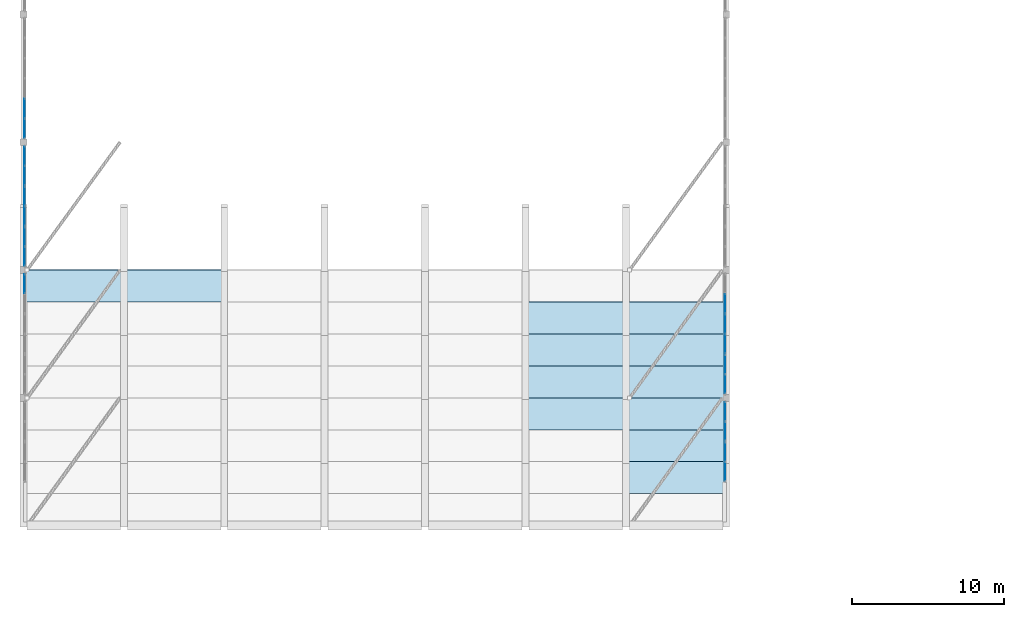
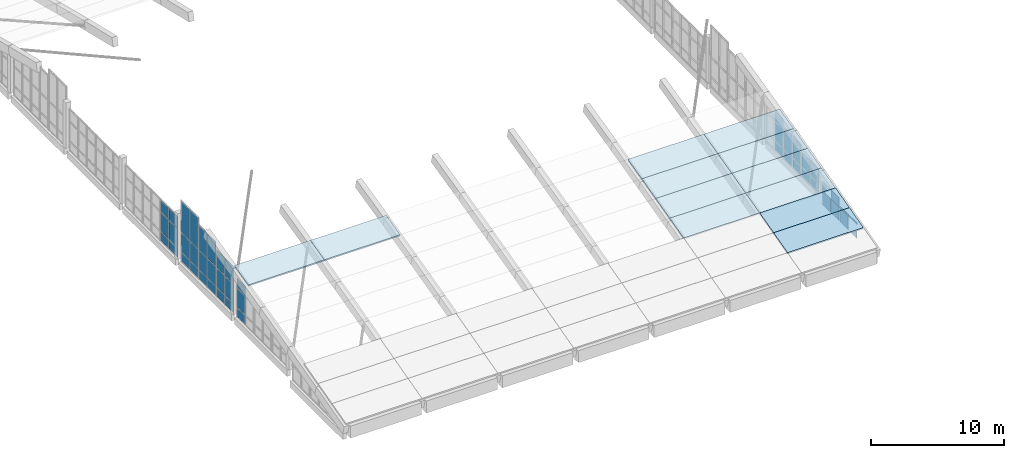
# One storey, part 41 of 78: 48 plates, 12 slabs, 10 elements without a shape of their own.
"""IFC4 building model written with IfcOpenShell, lengths in metres."""

from ifc_helpers import new_model, si_unit, direction, frame, origin, origin_2d, place, context, subcontext, project, spatial, polyline, rectangle, outline, extrude, material, layer, layer_set, type_object, element, aggregate, save


model = new_model("IFC4")

# Units and contexts
model_context = context("Model", 3, precision=1e-05, world=origin(), true_north=direction((0.0, 1.0)))
body_context = subcontext(model_context, "Body", "Model", "MODEL_VIEW")
ifc_project = project(units=[si_unit("LENGTHUNIT", "METRE"), si_unit("AREAUNIT", "SQUARE_METRE"), si_unit("VOLUMEUNIT", "CUBIC_METRE"), si_unit("PLANEANGLEUNIT", "RADIAN"), si_unit("MASSUNIT", "GRAM", prefix="KILO")], contexts=[model_context])

# Site, building, storey
site_placement = place(None, origin())
site = spatial("IfcSite", under=ifc_project, at=site_placement, CompositionType="ELEMENT")
building_placement = place(site_placement, origin())
building = spatial("IfcBuilding", under=site, at=building_placement, Name="Qaldarim Faculty of Natural and Applied Sciences", CompositionType="ELEMENT")
storey_placement = place(building_placement, frame((0.0, 0.0, 18.60009765625)))
storey = spatial("IfcBuildingStorey", under=building, at=storey_placement, Name="L04", CompositionType="ELEMENT", Elevation=18.60009765625)

# Curtain wall, plates
ifc_material_1 = material(Name="Anodised aluminium AW-6063", Category="aluminium")
curtain_wall_type_1 = type_object("IfcCurtainWallType", Name="CurtainWallSystem-M1500", PredefinedType="USERDEFINED", material=ifc_material_1)
curtain_wall_1_placement = place(storey_placement, origin())
curtain_wall_1 = element("IfcCurtainWall", 1, at=curtain_wall_1_placement, inside=storey, type_object=curtain_wall_type_1, Name="Curtain wall CW-GABLE-L04-E-Y03-2", ObjectType="STICK CURTAIN WALL", PredefinedType="USERDEFINED")
ifc_material_2 = material(Name="Champagne anodised aluminium AW-6063", Category="aluminium")
ifc_layer_1 = layer(ifc_material_2, 0.0400390625)
ifc_layer_set_1 = layer_set([ifc_layer_1], Name="Champagne anodised aluminium AW-6063")
plate_type_1 = type_object("IfcPlateType", Name="InsulatedSpandrelPanel-40", PredefinedType="CURTAIN_PANEL", material=ifc_layer_set_1)
plate_1_placement = place(storey_placement, frame((46.1201171875, 20.35888671875, -0.919921875), z_axis=(0.0, 0.0, 1.0), x_axis=(0.0, 1.0, 0.0)))
plate_1 = element("IfcPlate", 2, at=plate_1_placement, type_object=plate_type_1, Name="Glazed panel 1-1 of CW-GABLE-L04-E-Y03-2", PredefinedType="CURTAIN_PANEL", context=body_context, shape_type="SweptSolid", body=[
    extrude(rectangle(XDim=1.2275390625, YDim=0.0400390625, at=origin_2d()), origin(), (0.0, 0.0, 1.0), 1.260009765625),
])
plate_2_placement = place(storey_placement, frame((46.1201171875, 20.35888671875, 0.39990234375), z_axis=(0.0, 0.0, 1.0), x_axis=(0.0, 1.0, 0.0)))
plate_2 = element("IfcPlate", 3, at=plate_2_placement, type_object=plate_type_1, Name="Glazed panel 1-2 of CW-GABLE-L04-E-Y03-2", PredefinedType="CURTAIN_PANEL", context=body_context, shape_type="SweptSolid", body=[
    extrude(rectangle(XDim=1.2275390625, YDim=0.0400390625, at=origin_2d()), origin(), (0.0, 0.0, 1.0), 0.114990234375),
])
plate_3_placement = place(storey_placement, frame((46.1201171875, 21.646240234375, -0.919921875), z_axis=(0.0, 0.0, 1.0), x_axis=(0.0, 1.0, 0.0)))
plate_3 = element("IfcPlate", 4, at=plate_3_placement, type_object=plate_type_1, Name="Glazed panel 2-1 of CW-GABLE-L04-E-Y03-2", PredefinedType="CURTAIN_PANEL", context=body_context, shape_type="SweptSolid", body=[
    extrude(rectangle(XDim=1.2275390625, YDim=0.0400390625, at=origin_2d()), origin(), (0.0, 0.0, 1.0), 1.260009765625),
])
plate_4_placement = place(storey_placement, frame((46.1201171875, 21.646240234375, 0.39990234375), z_axis=(0.0, 0.0, 1.0), x_axis=(0.0, 1.0, 0.0)))
plate_4 = element("IfcPlate", 5, at=plate_4_placement, type_object=plate_type_1, Name="Glazed panel 2-2 of CW-GABLE-L04-E-Y03-2", PredefinedType="CURTAIN_PANEL", context=body_context, shape_type="SweptSolid", body=[
    extrude(rectangle(XDim=1.2275390625, YDim=0.0400390625, at=origin_2d()), origin(), (0.0, 0.0, 1.0), 0.114990234375),
])
aggregate(curtain_wall_1, [plate_1, plate_2, plate_3, plate_4])

curtain_wall_2_placement = place(storey_placement, origin())
curtain_wall_2 = element("IfcCurtainWall", 6, at=curtain_wall_2_placement, inside=storey, type_object=curtain_wall_type_1, Name="Curtain wall CW-GABLE-L04-E-Y03-3", ObjectType="STICK CURTAIN WALL", PredefinedType="USERDEFINED")
plate_5_placement = place(storey_placement, frame((46.1201171875, 23.0087890625, -0.919921875), z_axis=(0.0, 0.0, 1.0), x_axis=(0.0, 1.0, 0.0)))
plate_5 = element("IfcPlate", 7, at=plate_5_placement, type_object=plate_type_1, Name="Glazed panel 1-1 of CW-GABLE-L04-E-Y03-3", PredefinedType="CURTAIN_PANEL", context=body_context, shape_type="SweptSolid", body=[
    extrude(rectangle(XDim=1.2275390625, YDim=0.0400390625, at=origin_2d()), origin(), (0.0, 0.0, 1.0), 1.260009765625),
])
plate_6_placement = place(storey_placement, frame((46.1201171875, 23.0087890625, 0.39990234375), z_axis=(0.0, 0.0, 1.0), x_axis=(0.0, 1.0, 0.0)))
plate_6 = element("IfcPlate", 8, at=plate_6_placement, type_object=plate_type_1, Name="Glazed panel 1-2 of CW-GABLE-L04-E-Y03-3", PredefinedType="CURTAIN_PANEL", context=body_context, shape_type="SweptSolid", body=[
    extrude(rectangle(XDim=1.2275390625, YDim=0.0400390625, at=origin_2d()), origin(), (0.0, 0.0, 1.0), 0.804931640625),
])
plate_7_placement = place(storey_placement, frame((46.1201171875, 24.29638671875, -0.919921875), z_axis=(0.0, 0.0, 1.0), x_axis=(0.0, 1.0, 0.0)))
plate_7 = element("IfcPlate", 9, at=plate_7_placement, type_object=plate_type_1, Name="Glazed panel 2-1 of CW-GABLE-L04-E-Y03-3", PredefinedType="CURTAIN_PANEL", context=body_context, shape_type="SweptSolid", body=[
    extrude(rectangle(XDim=1.2275390625, YDim=0.0400390625, at=origin_2d()), origin(), (0.0, 0.0, 1.0), 1.260009765625),
])
plate_8_placement = place(storey_placement, frame((46.1201171875, 24.29638671875, 0.39990234375), z_axis=(0.0, 0.0, 1.0), x_axis=(0.0, 1.0, 0.0)))
plate_8 = element("IfcPlate", 10, at=plate_8_placement, type_object=plate_type_1, Name="Glazed panel 2-2 of CW-GABLE-L04-E-Y03-3", PredefinedType="CURTAIN_PANEL", context=body_context, shape_type="SweptSolid", body=[
    extrude(rectangle(XDim=1.2275390625, YDim=0.0400390625, at=origin_2d()), origin(), (0.0, 0.0, 1.0), 0.804931640625),
])
aggregate(curtain_wall_2, [plate_5, plate_6, plate_7, plate_8])

# Slabs
ifc_material_3 = material(Name="Concrete C40/50", Category="concrete")
ifc_layer_2 = layer(ifc_material_3, 0.159912109375)
ifc_layer_set_2 = layer_set([ifc_layer_2], Name="Concrete C40/50")
slab_type = type_object("IfcSlabType", Name="PointedArchShellStrip-160", PredefinedType="ROOF", material=ifc_layer_set_2)
slab_1_placement = place(storey_placement, frame((0.0, 31.5380859375, 3.66943359375), z_axis=(0.0, -0.238123063783, 0.971234990357), x_axis=(1.0, 0.0, 0.0)))
element("IfcSlab", 11, at=slab_1_placement, inside=storey, type_object=slab_type, Name="Pointed-arch shell strip B01-S09", PredefinedType="ROOF", context=body_context, shape_type="SweptSolid", body=[
    extrude(outline(polyline([(0.0, 0.0), (6.60009765625, 0.0), (6.60009765625, 2.162296125139883), (0.0, 2.162296125139883), (0.0, 0.0)])), origin(), (0.0, 0.0, 1.0), 0.159912109375),
])
slab_2_placement = place(storey_placement, frame((6.60009765625, 31.5380859375, 3.66943359375), z_axis=(0.0, -0.238123063783, 0.971234990357), x_axis=(1.0, 0.0, 0.0)))
element("IfcSlab", 12, at=slab_2_placement, inside=storey, type_object=slab_type, Name="Pointed-arch shell strip B02-S09", PredefinedType="ROOF", context=body_context, shape_type="SweptSolid", body=[
    extrude(outline(polyline([(0.0, 0.0), (6.599853515625, 0.0), (6.599853515625, 2.162296125139883), (0.0, 2.162296125139883), (0.0, 0.0)])), origin(), (0.0, 0.0, 1.0), 0.159912109375),
])
slab_3_placement = place(storey_placement, frame((33.0, 29.438720703125, 3.14453125), z_axis=(0.0, -0.242588697378, 0.970129230518), x_axis=(1.0, 0.0, 0.0)))
element("IfcSlab", 13, at=slab_3_placement, inside=storey, type_object=slab_type, Name="Pointed-arch shell strip B06-S10", PredefinedType="ROOF", context=body_context, shape_type="SweptSolid", body=[
    extrude(outline(polyline([(0.0, 0.0), (6.60009765625, 0.0), (6.60009765625, 2.164760724846551), (0.0, 2.164760724846551), (0.0, 0.0)])), origin(), (0.0, 0.0, 1.0), 0.159912109375),
])
slab_4_placement = place(storey_placement, frame((33.0, 27.339599609375, 2.60986328125), z_axis=(0.0, -0.24685434662, 0.969052594834), x_axis=(1.0, 0.0, 0.0)))
element("IfcSlab", 14, at=slab_4_placement, inside=storey, type_object=slab_type, Name="Pointed-arch shell strip B06-S11", PredefinedType="ROOF", context=body_context, shape_type="SweptSolid", body=[
    extrude(outline(polyline([(0.0, 0.0), (6.60009765625, 0.0), (6.60009765625, 2.166913877346925), (0.0, 2.166913877346925), (0.0, 0.0)])), origin(), (0.0, 0.0, 1.0), 0.159912109375),
])
slab_5_placement = place(storey_placement, frame((33.0, 25.23974609375, 2.06982421875), z_axis=(0.0, -0.249047074443, 0.968491380814), x_axis=(1.0, 0.0, 0.0)))
element("IfcSlab", 15, at=slab_5_placement, inside=storey, type_object=slab_type, Name="Pointed-arch shell strip B06-S12", PredefinedType="ROOF", context=body_context, shape_type="SweptSolid", body=[
    extrude(outline(polyline([(0.0, 0.0), (6.60009765625, 0.0), (6.60009765625, 2.168421627546779), (0.0, 2.168421627546779), (0.0, 0.0)])), origin(), (0.0, 0.0, 1.0), 0.159912109375),
])
slab_6_placement = place(storey_placement, frame((33.0, 23.140380859375, 1.525146484375), z_axis=(0.0, -0.251184769049, 0.967939157074), x_axis=(1.0, 0.0, 0.0)))
element("IfcSlab", 16, at=slab_6_placement, inside=storey, type_object=slab_type, Name="Pointed-arch shell strip B06-S13", PredefinedType="ROOF", context=body_context, shape_type="SweptSolid", body=[
    extrude(outline(polyline([(0.0, 0.0), (6.60009765625, 0.0), (6.60009765625, 2.169406517215293), (0.0, 2.169406517215293), (0.0, 0.0)])), origin(), (0.0, 0.0, 1.0), 0.159912109375),
])
slab_7_placement = place(storey_placement, frame((39.60009765625, 29.438720703125, 3.14453125), z_axis=(0.0, -0.242588697378, 0.970129230518), x_axis=(1.0, 0.0, 0.0)))
element("IfcSlab", 17, at=slab_7_placement, inside=storey, type_object=slab_type, Name="Pointed-arch shell strip B07-S10", PredefinedType="ROOF", context=body_context, shape_type="SweptSolid", body=[
    extrude(outline(polyline([(0.0, 0.0), (6.599853515625, 0.0), (6.599853515625, 2.164760724846551), (0.0, 2.164760724846551), (0.0, 0.0)])), origin(), (0.0, 0.0, 1.0), 0.159912109375),
])
slab_8_placement = place(storey_placement, frame((39.60009765625, 27.339599609375, 2.60986328125), z_axis=(0.0, -0.24685434662, 0.969052594834), x_axis=(1.0, 0.0, 0.0)))
element("IfcSlab", 18, at=slab_8_placement, inside=storey, type_object=slab_type, Name="Pointed-arch shell strip B07-S11", PredefinedType="ROOF", context=body_context, shape_type="SweptSolid", body=[
    extrude(outline(polyline([(0.0, 0.0), (6.599853515625, 0.0), (6.599853515625, 2.166913877346925), (0.0, 2.166913877346925), (0.0, 0.0)])), origin(), (0.0, 0.0, 1.0), 0.159912109375),
])
slab_9_placement = place(storey_placement, frame((39.60009765625, 25.23974609375, 2.06982421875), z_axis=(0.0, -0.249047074443, 0.968491380814), x_axis=(1.0, 0.0, 0.0)))
element("IfcSlab", 19, at=slab_9_placement, inside=storey, type_object=slab_type, Name="Pointed-arch shell strip B07-S12", PredefinedType="ROOF", context=body_context, shape_type="SweptSolid", body=[
    extrude(outline(polyline([(0.0, 0.0), (6.599853515625, 0.0), (6.599853515625, 2.168421627546779), (0.0, 2.168421627546779), (0.0, 0.0)])), origin(), (0.0, 0.0, 1.0), 0.159912109375),
])
slab_10_placement = place(storey_placement, frame((39.60009765625, 23.140380859375, 1.525146484375), z_axis=(0.0, -0.251184769049, 0.967939157074), x_axis=(1.0, 0.0, 0.0)))
element("IfcSlab", 20, at=slab_10_placement, inside=storey, type_object=slab_type, Name="Pointed-arch shell strip B07-S13", PredefinedType="ROOF", context=body_context, shape_type="SweptSolid", body=[
    extrude(outline(polyline([(0.0, 0.0), (6.599853515625, 0.0), (6.599853515625, 2.169406517215293), (0.0, 2.169406517215293), (0.0, 0.0)])), origin(), (0.0, 0.0, 1.0), 0.159912109375),
])
slab_11_placement = place(storey_placement, frame((39.60009765625, 21.040771484375, 0.97021484375), z_axis=(0.0, -0.255472397462, 0.966816349745), x_axis=(1.0, 0.0, 0.0)))
element("IfcSlab", 21, at=slab_11_placement, inside=storey, type_object=slab_type, Name="Pointed-arch shell strip B07-S14", PredefinedType="ROOF", context=body_context, shape_type="SweptSolid", body=[
    extrude(outline(polyline([(0.0, 0.0), (6.599853515625, 0.0), (6.599853515625, 2.1721784667824826), (0.0, 2.1721784667824826), (0.0, 0.0)])), origin(), (0.0, 0.0, 1.0), 0.159912109375),
])
slab_12_placement = place(storey_placement, frame((39.60009765625, 18.941162109375, 0.410400390625), z_axis=(0.0, -0.257676633066, 0.966231210825), x_axis=(1.0, 0.0, 0.0)))
element("IfcSlab", 22, at=slab_12_placement, inside=storey, type_object=slab_type, Name="Pointed-arch shell strip B07-S15", PredefinedType="ROOF", context=body_context, shape_type="SweptSolid", body=[
    extrude(outline(polyline([(0.0, 0.0), (6.599853515625, 0.0), (6.599853515625, 2.1734939140057357), (0.0, 2.1734939140057357), (0.0, 0.0)])), origin(), (0.0, 0.0, 1.0), 0.159912109375),
])

# Curtain wall, plates
curtain_wall_type_2 = type_object("IfcCurtainWallType", Name="CurtainWallSystem-M1300", PredefinedType="USERDEFINED", material=ifc_material_1)
curtain_wall_3_placement = place(storey_placement, origin())
curtain_wall_3 = element("IfcCurtainWall", 23, at=curtain_wall_3_placement, inside=storey, type_object=curtain_wall_type_2, Name="Curtain wall CW-GABLE-L04-W-Y04-3", ObjectType="STICK CURTAIN WALL", PredefinedType="USERDEFINED")
ifc_material_4 = material(Name="Insulated low-e double glazing", Category="glass")
ifc_layer_3 = layer(ifc_material_4, 0.028076171875)
ifc_layer_set_3 = layer_set([ifc_layer_3], Name="Insulated low-e double glazing")
plate_type_2 = type_object("IfcPlateType", Name="VisionGlazingPanel-28", PredefinedType="CURTAIN_PANEL", material=ifc_layer_set_3)
plate_9_placement = place(storey_placement, frame((0.080078125, 32.6962890625, -0.2001953125), z_axis=(0.0, 0.0, 1.0), x_axis=(0.0, -1.0, 0.0)))
plate_9 = element("IfcPlate", 24, at=plate_9_placement, type_object=plate_type_2, Name="Glazed panel 1-1 of CW-GABLE-L04-W-Y04-3", PredefinedType="CURTAIN_PANEL", context=body_context, shape_type="SweptSolid", body=[
    extrude(rectangle(XDim=1.2275390625, YDim=0.028076171875, at=origin_2d()), origin(), (0.0, 0.0, 1.0), 0.81005859375),
])
plate_10_placement = place(storey_placement, frame((0.080078125, 32.6962890625, 0.669921875), z_axis=(0.0, 0.0, 1.0), x_axis=(0.0, -1.0, 0.0)))
plate_10 = element("IfcPlate", 25, at=plate_10_placement, type_object=plate_type_2, Name="Glazed panel 1-2 of CW-GABLE-L04-W-Y04-3", PredefinedType="CURTAIN_PANEL", context=body_context, shape_type="SweptSolid", body=[
    extrude(rectangle(XDim=1.2275390625, YDim=0.028076171875, at=origin_2d()), origin(), (0.0, 0.0, 1.0), 1.739990234375),
])
plate_11_placement = place(storey_placement, frame((0.080078125, 32.6962890625, 2.469970703125), z_axis=(0.0, 0.0, 1.0), x_axis=(0.0, -1.0, 0.0)))
plate_11 = element("IfcPlate", 26, at=plate_11_placement, type_object=plate_type_2, Name="Glazed panel 1-3 of CW-GABLE-L04-W-Y04-3", PredefinedType="CURTAIN_PANEL", context=body_context, shape_type="SweptSolid", body=[
    extrude(rectangle(XDim=1.2275390625, YDim=0.028076171875, at=origin_2d()), origin(), (0.0, 0.0, 1.0), 0.85498046875),
])
aggregate(curtain_wall_3, [plate_9, plate_10, plate_11])

curtain_wall_4_placement = place(storey_placement, origin())
curtain_wall_4 = element("IfcCurtainWall", 27, at=curtain_wall_4_placement, inside=storey, type_object=curtain_wall_type_2, Name="Curtain wall CW-GABLE-L04-W-Y05-1", ObjectType="STICK CURTAIN WALL", PredefinedType="USERDEFINED")
plate_12_placement = place(storey_placement, frame((0.080078125, 35.791259765625, -0.2001953125), z_axis=(0.0, 0.0, 1.0), x_axis=(0.0, -1.0, 0.0)))
plate_12 = element("IfcPlate", 28, at=plate_12_placement, type_object=plate_type_2, Name="Glazed panel 1-1 of CW-GABLE-L04-W-Y05-1", PredefinedType="CURTAIN_PANEL", context=body_context, shape_type="SweptSolid", body=[
    extrude(rectangle(XDim=1.2275390625, YDim=0.028076171875, at=origin_2d()), origin(), (0.0, 0.0, 1.0), 0.81005859375),
])
plate_13_placement = place(storey_placement, frame((0.080078125, 35.791259765625, 0.669921875), z_axis=(0.0, 0.0, 1.0), x_axis=(0.0, -1.0, 0.0)))
plate_13 = element("IfcPlate", 29, at=plate_13_placement, type_object=plate_type_2, Name="Glazed panel 1-2 of CW-GABLE-L04-W-Y05-1", PredefinedType="CURTAIN_PANEL", context=body_context, shape_type="SweptSolid", body=[
    extrude(rectangle(XDim=1.2275390625, YDim=0.028076171875, at=origin_2d()), origin(), (0.0, 0.0, 1.0), 1.739990234375),
])
plate_14_placement = place(storey_placement, frame((0.080078125, 35.791259765625, 2.4697265625), z_axis=(0.0, 0.0, 1.0), x_axis=(0.0, -1.0, 0.0)))
plate_14 = element("IfcPlate", 30, at=plate_14_placement, type_object=plate_type_2, Name="Glazed panel 1-3 of CW-GABLE-L04-W-Y05-1", PredefinedType="CURTAIN_PANEL", context=body_context, shape_type="SweptSolid", body=[
    extrude(rectangle(XDim=1.2275390625, YDim=0.028076171875, at=origin_2d()), origin(), (0.0, 0.0, 1.0), 1.594970703125),
])
plate_15_placement = place(storey_placement, frame((0.080078125, 34.503662109375, -0.2001953125), z_axis=(0.0, 0.0, 1.0), x_axis=(0.0, -1.0, 0.0)))
plate_15 = element("IfcPlate", 31, at=plate_15_placement, type_object=plate_type_2, Name="Glazed panel 2-1 of CW-GABLE-L04-W-Y05-1", PredefinedType="CURTAIN_PANEL", context=body_context, shape_type="SweptSolid", body=[
    extrude(rectangle(XDim=1.2275390625, YDim=0.028076171875, at=origin_2d()), origin(), (0.0, 0.0, 1.0), 0.81005859375),
])
plate_16_placement = place(storey_placement, frame((0.080078125, 34.503662109375, 0.669921875), z_axis=(0.0, 0.0, 1.0), x_axis=(0.0, -1.0, 0.0)))
plate_16 = element("IfcPlate", 32, at=plate_16_placement, type_object=plate_type_2, Name="Glazed panel 2-2 of CW-GABLE-L04-W-Y05-1", PredefinedType="CURTAIN_PANEL", context=body_context, shape_type="SweptSolid", body=[
    extrude(rectangle(XDim=1.2275390625, YDim=0.028076171875, at=origin_2d()), origin(), (0.0, 0.0, 1.0), 1.739990234375),
])
plate_17_placement = place(storey_placement, frame((0.080078125, 34.503662109375, 2.4697265625), z_axis=(0.0, 0.0, 1.0), x_axis=(0.0, -1.0, 0.0)))
plate_17 = element("IfcPlate", 33, at=plate_17_placement, type_object=plate_type_2, Name="Glazed panel 2-3 of CW-GABLE-L04-W-Y05-1", PredefinedType="CURTAIN_PANEL", context=body_context, shape_type="SweptSolid", body=[
    extrude(rectangle(XDim=1.2275390625, YDim=0.028076171875, at=origin_2d()), origin(), (0.0, 0.0, 1.0), 1.594970703125),
])
aggregate(curtain_wall_4, [plate_12, plate_13, plate_14, plate_15, plate_16, plate_17])

curtain_wall_5_placement = place(storey_placement, origin())
curtain_wall_5 = element("IfcCurtainWall", 34, at=curtain_wall_5_placement, inside=storey, type_object=curtain_wall_type_2, Name="Curtain wall CW-GABLE-L04-W-Y05-2", ObjectType="STICK CURTAIN WALL", PredefinedType="USERDEFINED")
plate_18_placement = place(storey_placement, frame((0.080078125, 38.4462890625, -0.2001953125), z_axis=(0.0, 0.0, 1.0), x_axis=(0.0, -1.0, 0.0)))
plate_18 = element("IfcPlate", 35, at=plate_18_placement, type_object=plate_type_2, Name="Glazed panel 1-1 of CW-GABLE-L04-W-Y05-2", PredefinedType="CURTAIN_PANEL", context=body_context, shape_type="SweptSolid", body=[
    extrude(rectangle(XDim=1.2275390625, YDim=0.028076171875, at=origin_2d()), origin(), (0.0, 0.0, 1.0), 0.81005859375),
])
plate_19_placement = place(storey_placement, frame((0.080078125, 38.4462890625, 0.669921875), z_axis=(0.0, 0.0, 1.0), x_axis=(0.0, -1.0, 0.0)))
plate_19 = element("IfcPlate", 36, at=plate_19_placement, type_object=plate_type_2, Name="Glazed panel 1-2 of CW-GABLE-L04-W-Y05-2", PredefinedType="CURTAIN_PANEL", context=body_context, shape_type="SweptSolid", body=[
    extrude(rectangle(XDim=1.2275390625, YDim=0.028076171875, at=origin_2d()), origin(), (0.0, 0.0, 1.0), 1.739990234375),
])
plate_20_placement = place(storey_placement, frame((0.080078125, 38.4462890625, 2.4697265625), z_axis=(0.0, 0.0, 1.0), x_axis=(0.0, -1.0, 0.0)))
plate_20 = element("IfcPlate", 37, at=plate_20_placement, type_object=plate_type_2, Name="Glazed panel 1-3 of CW-GABLE-L04-W-Y05-2", PredefinedType="CURTAIN_PANEL", context=body_context, shape_type="SweptSolid", body=[
    extrude(rectangle(XDim=1.2275390625, YDim=0.028076171875, at=origin_2d()), origin(), (0.0, 0.0, 1.0), 2.215087890625),
])
plate_21_placement = place(storey_placement, frame((0.080078125, 37.15869140625, -0.2001953125), z_axis=(0.0, 0.0, 1.0), x_axis=(0.0, -1.0, 0.0)))
plate_21 = element("IfcPlate", 38, at=plate_21_placement, type_object=plate_type_2, Name="Glazed panel 2-1 of CW-GABLE-L04-W-Y05-2", PredefinedType="CURTAIN_PANEL", context=body_context, shape_type="SweptSolid", body=[
    extrude(rectangle(XDim=1.2275390625, YDim=0.028076171875, at=origin_2d()), origin(), (0.0, 0.0, 1.0), 0.81005859375),
])
plate_22_placement = place(storey_placement, frame((0.080078125, 37.15869140625, 0.669921875), z_axis=(0.0, 0.0, 1.0), x_axis=(0.0, -1.0, 0.0)))
plate_22 = element("IfcPlate", 39, at=plate_22_placement, type_object=plate_type_2, Name="Glazed panel 2-2 of CW-GABLE-L04-W-Y05-2", PredefinedType="CURTAIN_PANEL", context=body_context, shape_type="SweptSolid", body=[
    extrude(rectangle(XDim=1.2275390625, YDim=0.028076171875, at=origin_2d()), origin(), (0.0, 0.0, 1.0), 1.739990234375),
])
plate_23_placement = place(storey_placement, frame((0.080078125, 37.15869140625, 2.4697265625), z_axis=(0.0, 0.0, 1.0), x_axis=(0.0, -1.0, 0.0)))
plate_23 = element("IfcPlate", 40, at=plate_23_placement, type_object=plate_type_2, Name="Glazed panel 2-3 of CW-GABLE-L04-W-Y05-2", PredefinedType="CURTAIN_PANEL", context=body_context, shape_type="SweptSolid", body=[
    extrude(rectangle(XDim=1.2275390625, YDim=0.028076171875, at=origin_2d()), origin(), (0.0, 0.0, 1.0), 2.215087890625),
])
aggregate(curtain_wall_5, [plate_18, plate_19, plate_20, plate_21, plate_22, plate_23])

curtain_wall_6_placement = place(storey_placement, origin())
curtain_wall_6 = element("IfcCurtainWall", 41, at=curtain_wall_6_placement, inside=storey, type_object=curtain_wall_type_2, Name="Curtain wall CW-GABLE-L04-W-Y05-3", ObjectType="STICK CURTAIN WALL", PredefinedType="USERDEFINED")
plate_24_placement = place(storey_placement, frame((0.080078125, 41.09619140625, -0.2001953125), z_axis=(0.0, 0.0, 1.0), x_axis=(0.0, -1.0, 0.0)))
plate_24 = element("IfcPlate", 42, at=plate_24_placement, type_object=plate_type_2, Name="Glazed panel 1-1 of CW-GABLE-L04-W-Y05-3", PredefinedType="CURTAIN_PANEL", context=body_context, shape_type="SweptSolid", body=[
    extrude(rectangle(XDim=1.2275390625, YDim=0.028076171875, at=origin_2d()), origin(), (0.0, 0.0, 1.0), 0.81005859375),
])
plate_25_placement = place(storey_placement, frame((0.080078125, 41.09619140625, 0.669921875), z_axis=(0.0, 0.0, 1.0), x_axis=(0.0, -1.0, 0.0)))
plate_25 = element("IfcPlate", 43, at=plate_25_placement, type_object=plate_type_2, Name="Glazed panel 1-2 of CW-GABLE-L04-W-Y05-3", PredefinedType="CURTAIN_PANEL", context=body_context, shape_type="SweptSolid", body=[
    extrude(rectangle(XDim=1.2275390625, YDim=0.028076171875, at=origin_2d()), origin(), (0.0, 0.0, 1.0), 1.739990234375),
])
plate_26_placement = place(storey_placement, frame((0.080078125, 41.09619140625, 2.4697265625), z_axis=(0.0, 0.0, 1.0), x_axis=(0.0, -1.0, 0.0)))
plate_26 = element("IfcPlate", 44, at=plate_26_placement, type_object=plate_type_2, Name="Glazed panel 1-3 of CW-GABLE-L04-W-Y05-3", PredefinedType="CURTAIN_PANEL", context=body_context, shape_type="SweptSolid", body=[
    extrude(rectangle(XDim=1.2275390625, YDim=0.028076171875, at=origin_2d()), origin(), (0.0, 0.0, 1.0), 2.820068359375),
])
plate_27_placement = place(storey_placement, frame((0.080078125, 39.80859375, -0.2001953125), z_axis=(0.0, 0.0, 1.0), x_axis=(0.0, -1.0, 0.0)))
plate_27 = element("IfcPlate", 45, at=plate_27_placement, type_object=plate_type_2, Name="Glazed panel 2-1 of CW-GABLE-L04-W-Y05-3", PredefinedType="CURTAIN_PANEL", context=body_context, shape_type="SweptSolid", body=[
    extrude(rectangle(XDim=1.2275390625, YDim=0.028076171875, at=origin_2d()), origin(), (0.0, 0.0, 1.0), 0.81005859375),
])
plate_28_placement = place(storey_placement, frame((0.080078125, 39.80859375, 0.669921875), z_axis=(0.0, 0.0, 1.0), x_axis=(0.0, -1.0, 0.0)))
plate_28 = element("IfcPlate", 46, at=plate_28_placement, type_object=plate_type_2, Name="Glazed panel 2-2 of CW-GABLE-L04-W-Y05-3", PredefinedType="CURTAIN_PANEL", context=body_context, shape_type="SweptSolid", body=[
    extrude(rectangle(XDim=1.2275390625, YDim=0.028076171875, at=origin_2d()), origin(), (0.0, 0.0, 1.0), 1.739990234375),
])
plate_29_placement = place(storey_placement, frame((0.080078125, 39.80859375, 2.4697265625), z_axis=(0.0, 0.0, 1.0), x_axis=(0.0, -1.0, 0.0)))
plate_29 = element("IfcPlate", 47, at=plate_29_placement, type_object=plate_type_2, Name="Glazed panel 2-3 of CW-GABLE-L04-W-Y05-3", PredefinedType="CURTAIN_PANEL", context=body_context, shape_type="SweptSolid", body=[
    extrude(rectangle(XDim=1.2275390625, YDim=0.028076171875, at=origin_2d()), origin(), (0.0, 0.0, 1.0), 2.820068359375),
])
aggregate(curtain_wall_6, [plate_24, plate_25, plate_26, plate_27, plate_28, plate_29])

curtain_wall_7_placement = place(storey_placement, origin())
curtain_wall_7 = element("IfcCurtainWall", 48, at=curtain_wall_7_placement, inside=storey, type_object=curtain_wall_type_2, Name="Curtain wall CW-GABLE-L04-W-Y06", ObjectType="STICK CURTAIN WALL", PredefinedType="USERDEFINED")
plate_30_placement = place(storey_placement, frame((0.080078125, 44.215087890625, -0.2001953125), z_axis=(0.0, 0.0, 1.0), x_axis=(0.0, -1.0, 0.0)))
plate_30 = element("IfcPlate", 49, at=plate_30_placement, type_object=plate_type_2, Name="Glazed panel 5-1 of CW-GABLE-L04-W-Y06", PredefinedType="CURTAIN_PANEL", context=body_context, shape_type="SweptSolid", body=[
    extrude(rectangle(XDim=1.26318359375, YDim=0.028076171875, at=origin_2d()), origin(), (0.0, 0.0, 1.0), 0.81005859375),
])
plate_31_placement = place(storey_placement, frame((0.080078125, 44.215087890625, 0.669921875), z_axis=(0.0, 0.0, 1.0), x_axis=(0.0, -1.0, 0.0)))
plate_31 = element("IfcPlate", 50, at=plate_31_placement, type_object=plate_type_2, Name="Glazed panel 5-2 of CW-GABLE-L04-W-Y06", PredefinedType="CURTAIN_PANEL", context=body_context, shape_type="SweptSolid", body=[
    extrude(rectangle(XDim=1.26318359375, YDim=0.028076171875, at=origin_2d()), origin(), (0.0, 0.0, 1.0), 1.739990234375),
])
plate_32_placement = place(storey_placement, frame((0.080078125, 44.215087890625, 2.4697265625), z_axis=(0.0, 0.0, 1.0), x_axis=(0.0, -1.0, 0.0)))
plate_32 = element("IfcPlate", 51, at=plate_32_placement, type_object=plate_type_2, Name="Glazed panel 5-3 of CW-GABLE-L04-W-Y06", PredefinedType="CURTAIN_PANEL", context=body_context, shape_type="SweptSolid", body=[
    extrude(rectangle(XDim=1.26318359375, YDim=0.028076171875, at=origin_2d()), origin(), (0.0, 0.0, 1.0), 1.070068359375),
])
plate_33_placement = place(storey_placement, frame((0.080078125, 42.90673828125, -0.2001953125), z_axis=(0.0, 0.0, 1.0), x_axis=(0.0, -1.0, 0.0)))
plate_33 = element("IfcPlate", 52, at=plate_33_placement, type_object=plate_type_2, Name="Glazed panel 6-1 of CW-GABLE-L04-W-Y06", PredefinedType="CURTAIN_PANEL", context=body_context, shape_type="SweptSolid", body=[
    extrude(rectangle(XDim=1.2333984375, YDim=0.028076171875, at=origin_2d()), origin(), (0.0, 0.0, 1.0), 0.81005859375),
])
plate_34_placement = place(storey_placement, frame((0.080078125, 42.90673828125, 0.669921875), z_axis=(0.0, 0.0, 1.0), x_axis=(0.0, -1.0, 0.0)))
plate_34 = element("IfcPlate", 53, at=plate_34_placement, type_object=plate_type_2, Name="Glazed panel 6-2 of CW-GABLE-L04-W-Y06", PredefinedType="CURTAIN_PANEL", context=body_context, shape_type="SweptSolid", body=[
    extrude(rectangle(XDim=1.2333984375, YDim=0.028076171875, at=origin_2d()), origin(), (0.0, 0.0, 1.0), 1.739990234375),
])
plate_35_placement = place(storey_placement, frame((0.080078125, 42.90673828125, 2.4697265625), z_axis=(0.0, 0.0, 1.0), x_axis=(0.0, -1.0, 0.0)))
plate_35 = element("IfcPlate", 54, at=plate_35_placement, type_object=plate_type_2, Name="Glazed panel 6-3 of CW-GABLE-L04-W-Y06", PredefinedType="CURTAIN_PANEL", context=body_context, shape_type="SweptSolid", body=[
    extrude(rectangle(XDim=1.2333984375, YDim=0.028076171875, at=origin_2d()), origin(), (0.0, 0.0, 1.0), 1.070068359375),
])
aggregate(curtain_wall_7, [plate_30, plate_31, plate_32, plate_33, plate_34, plate_35])

curtain_wall_8_placement = place(storey_placement, origin())
curtain_wall_8 = element("IfcCurtainWall", 55, at=curtain_wall_8_placement, inside=storey, type_object=curtain_wall_type_2, Name="Curtain wall CW-GABLE-L04-E-Y04-1", ObjectType="STICK CURTAIN WALL", PredefinedType="USERDEFINED")
plate_36_placement = place(storey_placement, frame((46.1201171875, 26.103759765625, -0.2001953125), z_axis=(0.0, 0.0, 1.0), x_axis=(0.0, 1.0, 0.0)))
plate_36 = element("IfcPlate", 56, at=plate_36_placement, type_object=plate_type_2, Name="Glazed panel 1-1 of CW-GABLE-L04-E-Y04-1", PredefinedType="CURTAIN_PANEL", context=body_context, shape_type="SweptSolid", body=[
    extrude(rectangle(XDim=1.2275390625, YDim=0.028076171875, at=origin_2d()), origin(), (0.0, 0.0, 1.0), 0.81005859375),
])
plate_37_placement = place(storey_placement, frame((46.1201171875, 26.103759765625, 0.669921875), z_axis=(0.0, 0.0, 1.0), x_axis=(0.0, 1.0, 0.0)))
plate_37 = element("IfcPlate", 57, at=plate_37_placement, type_object=plate_type_2, Name="Glazed panel 1-2 of CW-GABLE-L04-E-Y04-1", PredefinedType="CURTAIN_PANEL", context=body_context, shape_type="SweptSolid", body=[
    extrude(rectangle(XDim=1.2275390625, YDim=0.028076171875, at=origin_2d()), origin(), (0.0, 0.0, 1.0), 1.330078125),
])
plate_38_placement = place(storey_placement, frame((46.1201171875, 27.39111328125, -0.2001953125), z_axis=(0.0, 0.0, 1.0), x_axis=(0.0, 1.0, 0.0)))
plate_38 = element("IfcPlate", 58, at=plate_38_placement, type_object=plate_type_2, Name="Glazed panel 2-1 of CW-GABLE-L04-E-Y04-1", PredefinedType="CURTAIN_PANEL", context=body_context, shape_type="SweptSolid", body=[
    extrude(rectangle(XDim=1.2275390625, YDim=0.028076171875, at=origin_2d()), origin(), (0.0, 0.0, 1.0), 0.81005859375),
])
plate_39_placement = place(storey_placement, frame((46.1201171875, 27.39111328125, 0.669921875), z_axis=(0.0, 0.0, 1.0), x_axis=(0.0, 1.0, 0.0)))
plate_39 = element("IfcPlate", 59, at=plate_39_placement, type_object=plate_type_2, Name="Glazed panel 2-2 of CW-GABLE-L04-E-Y04-1", PredefinedType="CURTAIN_PANEL", context=body_context, shape_type="SweptSolid", body=[
    extrude(rectangle(XDim=1.2275390625, YDim=0.028076171875, at=origin_2d()), origin(), (0.0, 0.0, 1.0), 1.330078125),
])
aggregate(curtain_wall_8, [plate_36, plate_37, plate_38, plate_39])

curtain_wall_9_placement = place(storey_placement, origin())
curtain_wall_9 = element("IfcCurtainWall", 60, at=curtain_wall_9_placement, inside=storey, type_object=curtain_wall_type_2, Name="Curtain wall CW-GABLE-L04-E-Y04-2", ObjectType="STICK CURTAIN WALL", PredefinedType="USERDEFINED")
plate_40_placement = place(storey_placement, frame((46.1201171875, 28.7587890625, -0.2001953125), z_axis=(0.0, 0.0, 1.0), x_axis=(0.0, 1.0, 0.0)))
plate_40 = element("IfcPlate", 61, at=plate_40_placement, type_object=plate_type_2, Name="Glazed panel 1-1 of CW-GABLE-L04-E-Y04-2", PredefinedType="CURTAIN_PANEL", context=body_context, shape_type="SweptSolid", body=[
    extrude(rectangle(XDim=1.2275390625, YDim=0.028076171875, at=origin_2d()), origin(), (0.0, 0.0, 1.0), 0.81005859375),
])
plate_41_placement = place(storey_placement, frame((46.1201171875, 28.7587890625, 0.669921875), z_axis=(0.0, 0.0, 1.0), x_axis=(0.0, 1.0, 0.0)))
plate_41 = element("IfcPlate", 62, at=plate_41_placement, type_object=plate_type_2, Name="Glazed panel 1-2 of CW-GABLE-L04-E-Y04-2", PredefinedType="CURTAIN_PANEL", context=body_context, shape_type="SweptSolid", body=[
    extrude(rectangle(XDim=1.2275390625, YDim=0.028076171875, at=origin_2d()), origin(), (0.0, 0.0, 1.0), 1.739990234375),
])
plate_42_placement = place(storey_placement, frame((46.1201171875, 28.7587890625, 2.4697265625), z_axis=(0.0, 0.0, 1.0), x_axis=(0.0, 1.0, 0.0)))
plate_42 = element("IfcPlate", 63, at=plate_42_placement, type_object=plate_type_2, Name="Glazed panel 1-3 of CW-GABLE-L04-E-Y04-2", PredefinedType="CURTAIN_PANEL", context=body_context, shape_type="SweptSolid", body=[
    extrude(rectangle(XDim=1.2275390625, YDim=0.028076171875, at=origin_2d()), origin(), (0.0, 0.0, 1.0), 0.199951171875),
])
plate_43_placement = place(storey_placement, frame((46.1201171875, 30.04638671875, -0.2001953125), z_axis=(0.0, 0.0, 1.0), x_axis=(0.0, 1.0, 0.0)))
plate_43 = element("IfcPlate", 64, at=plate_43_placement, type_object=plate_type_2, Name="Glazed panel 2-1 of CW-GABLE-L04-E-Y04-2", PredefinedType="CURTAIN_PANEL", context=body_context, shape_type="SweptSolid", body=[
    extrude(rectangle(XDim=1.2275390625, YDim=0.028076171875, at=origin_2d()), origin(), (0.0, 0.0, 1.0), 0.81005859375),
])
plate_44_placement = place(storey_placement, frame((46.1201171875, 30.04638671875, 0.669921875), z_axis=(0.0, 0.0, 1.0), x_axis=(0.0, 1.0, 0.0)))
plate_44 = element("IfcPlate", 65, at=plate_44_placement, type_object=plate_type_2, Name="Glazed panel 2-2 of CW-GABLE-L04-E-Y04-2", PredefinedType="CURTAIN_PANEL", context=body_context, shape_type="SweptSolid", body=[
    extrude(rectangle(XDim=1.2275390625, YDim=0.028076171875, at=origin_2d()), origin(), (0.0, 0.0, 1.0), 1.739990234375),
])
plate_45_placement = place(storey_placement, frame((46.1201171875, 30.04638671875, 2.4697265625), z_axis=(0.0, 0.0, 1.0), x_axis=(0.0, 1.0, 0.0)))
plate_45 = element("IfcPlate", 66, at=plate_45_placement, type_object=plate_type_2, Name="Glazed panel 2-3 of CW-GABLE-L04-E-Y04-2", PredefinedType="CURTAIN_PANEL", context=body_context, shape_type="SweptSolid", body=[
    extrude(rectangle(XDim=1.2275390625, YDim=0.028076171875, at=origin_2d()), origin(), (0.0, 0.0, 1.0), 0.199951171875),
])
aggregate(curtain_wall_9, [plate_40, plate_41, plate_42, plate_43, plate_44, plate_45])

curtain_wall_10_placement = place(storey_placement, origin())
curtain_wall_10 = element("IfcCurtainWall", 67, at=curtain_wall_10_placement, inside=storey, type_object=curtain_wall_type_2, Name="Curtain wall CW-GABLE-L04-E-Y04-3", ObjectType="STICK CURTAIN WALL", PredefinedType="USERDEFINED")
plate_46_placement = place(storey_placement, frame((46.1201171875, 31.40869140625, -0.2001953125), z_axis=(0.0, 0.0, 1.0), x_axis=(0.0, 1.0, 0.0)))
plate_46 = element("IfcPlate", 68, at=plate_46_placement, type_object=plate_type_2, Name="Glazed panel 1-1 of CW-GABLE-L04-E-Y04-3", PredefinedType="CURTAIN_PANEL", context=body_context, shape_type="SweptSolid", body=[
    extrude(rectangle(XDim=1.2275390625, YDim=0.028076171875, at=origin_2d()), origin(), (0.0, 0.0, 1.0), 0.81005859375),
])
plate_47_placement = place(storey_placement, frame((46.1201171875, 31.40869140625, 0.669921875), z_axis=(0.0, 0.0, 1.0), x_axis=(0.0, 1.0, 0.0)))
plate_47 = element("IfcPlate", 69, at=plate_47_placement, type_object=plate_type_2, Name="Glazed panel 1-2 of CW-GABLE-L04-E-Y04-3", PredefinedType="CURTAIN_PANEL", context=body_context, shape_type="SweptSolid", body=[
    extrude(rectangle(XDim=1.2275390625, YDim=0.028076171875, at=origin_2d()), origin(), (0.0, 0.0, 1.0), 1.739990234375),
])
plate_48_placement = place(storey_placement, frame((46.1201171875, 31.40869140625, 2.469970703125), z_axis=(0.0, 0.0, 1.0), x_axis=(0.0, 1.0, 0.0)))
plate_48 = element("IfcPlate", 70, at=plate_48_placement, type_object=plate_type_2, Name="Glazed panel 1-3 of CW-GABLE-L04-E-Y04-3", PredefinedType="CURTAIN_PANEL", context=body_context, shape_type="SweptSolid", body=[
    extrude(rectangle(XDim=1.2275390625, YDim=0.028076171875, at=origin_2d()), origin(), (0.0, 0.0, 1.0), 0.85498046875),
])
aggregate(curtain_wall_10, [plate_46, plate_47, plate_48])

save(model, "model.ifc")
